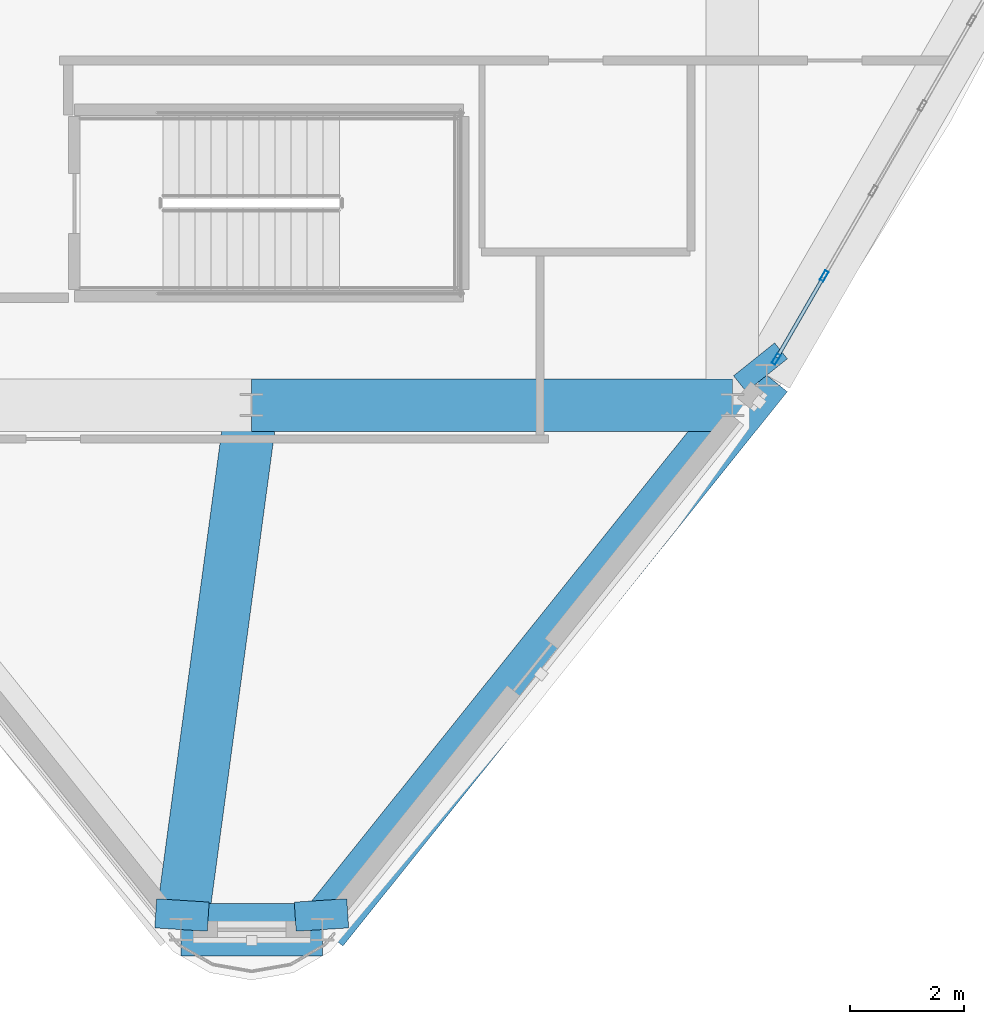
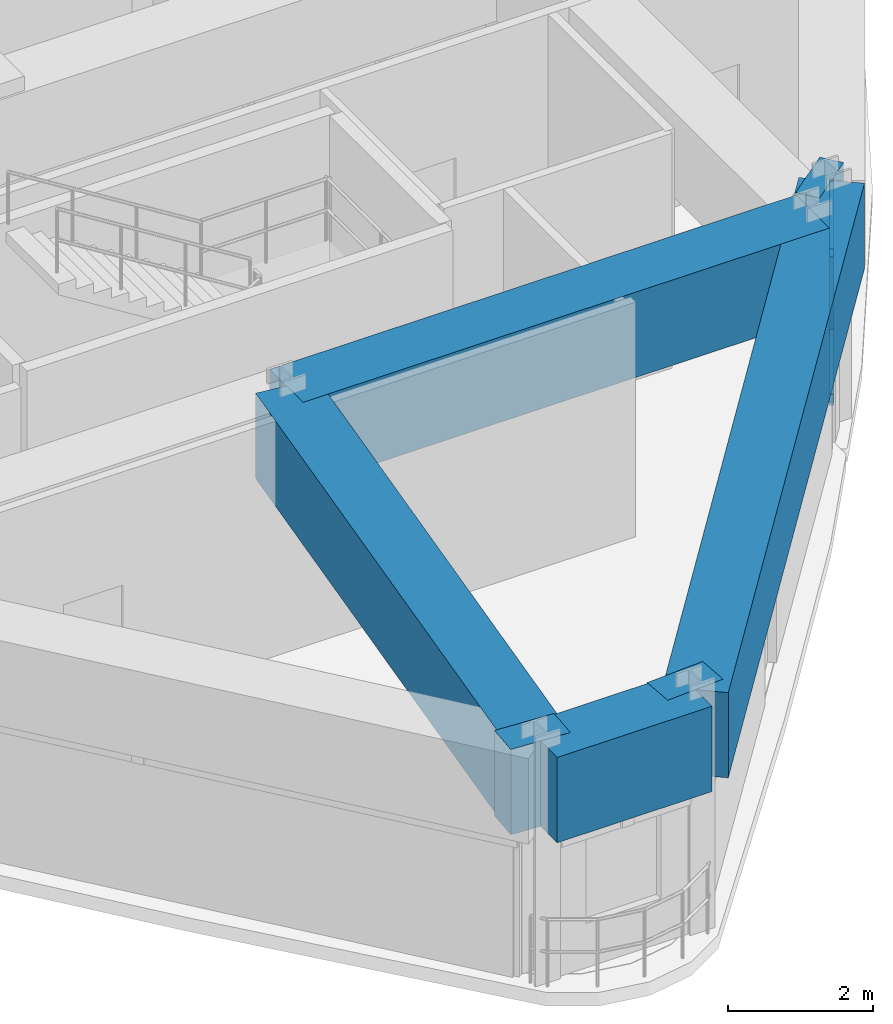
# One storey, part 3 of 16: 7 beams, 4 members, 1 element without a shape of its own.
"""IFC4 building model written with IfcOpenShell, lengths in metres."""

from ifc_helpers import new_model, si_unit, derived_unit, direction, frame, origin, origin_2d, place, context, subcontext, project, spatial, rectangle, hollow_rectangle, extrude, source, transform, mapped, material, layer, layer_set, material_profile, profile_set, type_object, element, aggregate, save


model = new_model("IFC4")

# Units and contexts
model_context = context("Model", 3, precision=1e-05, world=origin(), true_north=direction((0.0, 1.0)))
body_context = subcontext(model_context, "Body", "Model", "MODEL_VIEW")
ifc_project = project(units=[si_unit("LENGTHUNIT", "METRE"), si_unit("AREAUNIT", "SQUARE_METRE"), si_unit("VOLUMEUNIT", "CUBIC_METRE"), si_unit("PLANEANGLEUNIT", "RADIAN"), si_unit("MASSUNIT", "GRAM", prefix="KILO"), derived_unit("THERMALTRANSMITTANCEUNIT", [(si_unit("POWERUNIT", "WATT"), 1), (si_unit("LENGTHUNIT", "METRE"), -2), (si_unit("THERMODYNAMICTEMPERATUREUNIT", "KELVIN"), -1)])], contexts=[model_context])

# Site, building, storey
site_placement = place(None, origin())
site = spatial("IfcSite", under=ifc_project, at=site_placement, CompositionType="ELEMENT")
building_placement = place(site_placement, origin())
building = spatial("IfcBuilding", under=site, at=building_placement, Name="Korsvarv Bourse and Concert Hall", CompositionType="ELEMENT")
storey_placement = place(building_placement, frame((0.0, 0.0, 283.800048828125)))
storey = spatial("IfcBuildingStorey", under=building, at=storey_placement, Name="L74", CompositionType="ELEMENT", Elevation=283.800048828125)

# Beams
ifc_material_1 = material(Name="Concrete C50/60", Category="concrete")
ifc_material_profile_1 = material_profile(ifc_material_1, rectangle(XDim=0.919921875, YDim=1.43994140625, at=origin_2d()), Name="RC-BM 920x1440")
ifc_profile_set_1 = profile_set([ifc_material_profile_1], Name="Concrete C50/60")
beam_type = type_object("IfcBeamType", Name="BM-TR-144", PredefinedType="BEAM", material=ifc_profile_set_1)
shared_shape_1 = source(origin(), body_context, "Body", "SweptSolid", [
    extrude(rectangle(XDim=0.919921875, YDim=1.43994140625, at=origin_2d()), origin(), (0.0, 0.0, 1.0), 8.39990234375),
])
beam_1_placement = place(storey_placement, frame((36.0, 24.0, 3.239990234375), z_axis=(1.0, 0.0, 0.0), x_axis=(0.0, 1.0, 0.0)))
element("IfcBeam", 1, at=beam_1_placement, inside=storey, type_object=beam_type, Name="L74 beam B-TR4", PredefinedType="BEAM", context=body_context, shape_type="MappedRepresentation", body=[
    mapped(shared_shape_1, transform((0.0, 0.0, 0.0), scale=1.0)),
])
shared_shape_2 = source(origin(), body_context, "Body", "SweptSolid", [
    extrude(rectangle(XDim=0.919921875, YDim=1.43994140625, at=origin_2d()), origin(), (0.0, 0.0, 1.0), 0.3564453125),
])
beam_2_placement = place(storey_placement, frame((45.00244140625, 24.52099609375, 3.239990234375), z_axis=(-0.624695047554, 0.780868809443, 0.0), x_axis=(-0.780868809443, -0.624695047554, 0.0)))
element("IfcBeam", 2, at=beam_2_placement, inside=storey, type_object=beam_type, Name="L74 beam B-TR4", PredefinedType="BEAM", context=body_context, shape_type="MappedRepresentation", body=[
    mapped(shared_shape_2, transform((0.0, 0.0, 0.0), scale=1.0)),
])
shared_shape_3 = source(origin(), body_context, "Body", "SweptSolid", [
    extrude(rectangle(XDim=0.919921875, YDim=1.43994140625, at=origin_2d()), origin(), (0.0, 0.0, 1.0), 2.47021484375),
])
beam_3_placement = place(storey_placement, frame((34.764892578125, 14.8330078125, 3.239990234375), z_axis=(1.0, 0.0, 0.0), x_axis=(0.0, 1.0, 0.0)))
element("IfcBeam", 3, at=beam_3_placement, inside=storey, type_object=beam_type, Name="L74 beam B-TR4", PredefinedType="BEAM", context=body_context, shape_type="MappedRepresentation", body=[
    mapped(shared_shape_3, transform((0.0, 0.0, 0.0), scale=1.0)),
])
shared_shape_4 = source(origin(), body_context, "Body", "SweptSolid", [
    extrude(rectangle(XDim=0.919921875, YDim=1.43994140625, at=origin_2d()), origin(), (0.0, 0.0, 1.0), 12.417236328125),
])
beam_4_placement = place(storey_placement, frame((37.235107421875, 14.8330078125, 3.239990234375), z_axis=(0.625526704876, 0.780202756652, 0.0), x_axis=(-0.780202756652, 0.625526704876, 0.0)))
element("IfcBeam", 4, at=beam_4_placement, inside=storey, type_object=beam_type, Name="L74 beam B-TR4", PredefinedType="BEAM", context=body_context, shape_type="MappedRepresentation", body=[
    mapped(shared_shape_4, transform((0.0, 0.0, 0.0), scale=1.0)),
])
shared_shape_5 = source(origin(), body_context, "Body", "SweptSolid", [
    extrude(rectangle(XDim=0.919921875, YDim=1.43994140625, at=origin_2d()), origin(), (0.0, 0.0, 1.0), 9.249755859375),
])
beam_5_placement = place(storey_placement, frame((34.764892578125, 14.8330078125, 3.239990234375), z_axis=(0.133527673505, 0.991045084952, 0.0), x_axis=(-0.991045084952, 0.133527673505, 0.0)))
element("IfcBeam", 5, at=beam_5_placement, inside=storey, type_object=beam_type, Name="L74 beam B-TR4", PredefinedType="BEAM", context=body_context, shape_type="MappedRepresentation", body=[
    mapped(shared_shape_5, transform((0.0, 0.0, 0.0), scale=1.0)),
])
shared_shape_6 = source(origin(), body_context, "Body", "SweptSolid", [
    extrude(rectangle(XDim=0.919921875, YDim=1.43994140625, at=origin_2d()), origin(), (0.0, 0.0, 1.0), 0.51025390625),
])
for number, where, z_axis, x_axis, name in (
    (6, (34.764892578125, 14.8330078125, 3.239990234375), (0.063152690178, 0.998003876607, 0.0), (-0.998003876607, 0.063152690178, 0.0), "L74 beam B-TR4"),
    (7, (37.235107421875, 14.8330078125, 3.239990234375), (-0.063152690178, 0.998003876607, 0.0), (-0.998003876607, -0.063152690178, 0.0), "L74 beam B-TR4"),
):
    element("IfcBeam", number, at=place(storey_placement, frame(where, z_axis=z_axis, x_axis=x_axis)), inside=storey, type_object=beam_type, Name=name, PredefinedType="BEAM", context=body_context, shape_type="MappedRepresentation", body=[
        mapped(shared_shape_6, transform((0.0, 0.0, 0.0), scale=1.0)),
    ])

# Curtain wall, members
ifc_material_2 = material(Name="Anodised aluminium and triple low-E glazing", Category="glass")
ifc_layer = layer(ifc_material_2, 0.18994140625)
ifc_layer_set = layer_set([ifc_layer], Name="Anodised aluminium and triple low-E glazing")
curtain_wall_type = type_object("IfcCurtainWallType", Name="CW-SYS-4", PredefinedType="NOTDEFINED", material=ifc_layer_set)
curtain_wall_placement = place(storey_placement, origin())
curtain_wall = element("IfcCurtainWall", 8, at=curtain_wall_placement, inside=storey, type_object=curtain_wall_type, Name="L74 CW4 curtain wall CW-L74-F11", PredefinedType="NOTDEFINED")
ifc_material_3 = material(Name="Extruded aluminium EN AW-6063 T66", Category="aluminium")
ifc_material_profile_2 = material_profile(ifc_material_3, hollow_rectangle(XDim=0.070068359375, YDim=0.18994140625, WallThickness=0.0048828125, at=origin_2d()), Name="ALU-M 70x190")
ifc_profile_set_2 = profile_set([ifc_material_profile_2], Name="Extruded aluminium EN AW-6063 T66")
member_type_1 = type_object("IfcMemberType", Name="CWM-190", PredefinedType="MULLION", material=ifc_profile_set_2)
shared_shape_7 = source(origin(), body_context, "Body", "SweptSolid", [
    extrude(hollow_rectangle(XDim=0.070068359375, YDim=0.18994140625, WallThickness=0.0048828125, at=origin_2d()), origin(), (0.0, 0.0, 1.0), 2.52001953125),
])
member_1_placement = place(storey_placement, frame((45.1640625, 24.80078125, 0.0), z_axis=(0.0, 0.0, 1.0), x_axis=(-0.866027681029, 0.499996055676, 0.0)))
member_1 = element("IfcMember", 9, at=member_1_placement, type_object=member_type_1, Name="CW4 mullion 1", PredefinedType="MULLION", context=body_context, shape_type="MappedRepresentation", body=[
    mapped(shared_shape_7, transform((0.0, 0.0, 0.0), scale=1.0)),
])
member_2_placement = place(storey_placement, frame((46.005126953125, 26.257568359375, 0.0), z_axis=(0.0, 0.0, 1.0), x_axis=(-0.866027681029, 0.499996055676, 0.0)))
member_2 = element("IfcMember", 10, at=member_2_placement, type_object=member_type_1, Name="CW4 mullion 2", PredefinedType="MULLION", context=body_context, shape_type="MappedRepresentation", body=[
    mapped(shared_shape_7, transform((0.0, 0.0, 0.0), scale=1.0)),
])
ifc_material_profile_3 = material_profile(ifc_material_3, hollow_rectangle(XDim=0.06494140625, YDim=0.139892578125, WallThickness=0.00390625, at=origin_2d()), Name="ALU-T 65x140")
ifc_profile_set_3 = profile_set([ifc_material_profile_3], Name="Extruded aluminium EN AW-6063 T66")
member_type_2 = type_object("IfcMemberType", Name="CWT-140", PredefinedType="USERDEFINED", material=ifc_profile_set_3)
shared_shape_8 = source(origin(), body_context, "Body", "SweptSolid", [
    extrude(hollow_rectangle(XDim=0.06494140625, YDim=0.139892578125, WallThickness=0.00390625, at=origin_2d()), origin(), (0.0, 0.0, 1.0), 1.6123046875),
])
member_3_placement = place(storey_placement, frame((45.181640625, 24.8310546875, 0.032470703125), z_axis=(0.500015196914, 0.866016629664, 0.0), x_axis=(-0.866016629664, 0.500015196914, 0.0)))
member_3 = element("IfcMember", 11, at=member_3_placement, type_object=member_type_2, Name="CW4 transom 1.1", ObjectType="TRANSOM", PredefinedType="USERDEFINED", context=body_context, shape_type="MappedRepresentation", body=[
    mapped(shared_shape_8, transform((0.0, 0.0, 0.0), scale=1.0)),
])
member_4_placement = place(storey_placement, frame((45.181640625, 24.8310546875, 2.487548828125), z_axis=(0.500015196914, 0.866016629664, 0.0), x_axis=(-0.866016629664, 0.500015196914, 0.0)))
member_4 = element("IfcMember", 12, at=member_4_placement, type_object=member_type_2, Name="CW4 transom 1.2", ObjectType="TRANSOM", PredefinedType="USERDEFINED", context=body_context, shape_type="MappedRepresentation", body=[
    mapped(shared_shape_8, transform((0.0, 0.0, 0.0), scale=1.0)),
])
aggregate(curtain_wall, [member_1, member_2, member_3, member_4])

save(model, "model.ifc")
